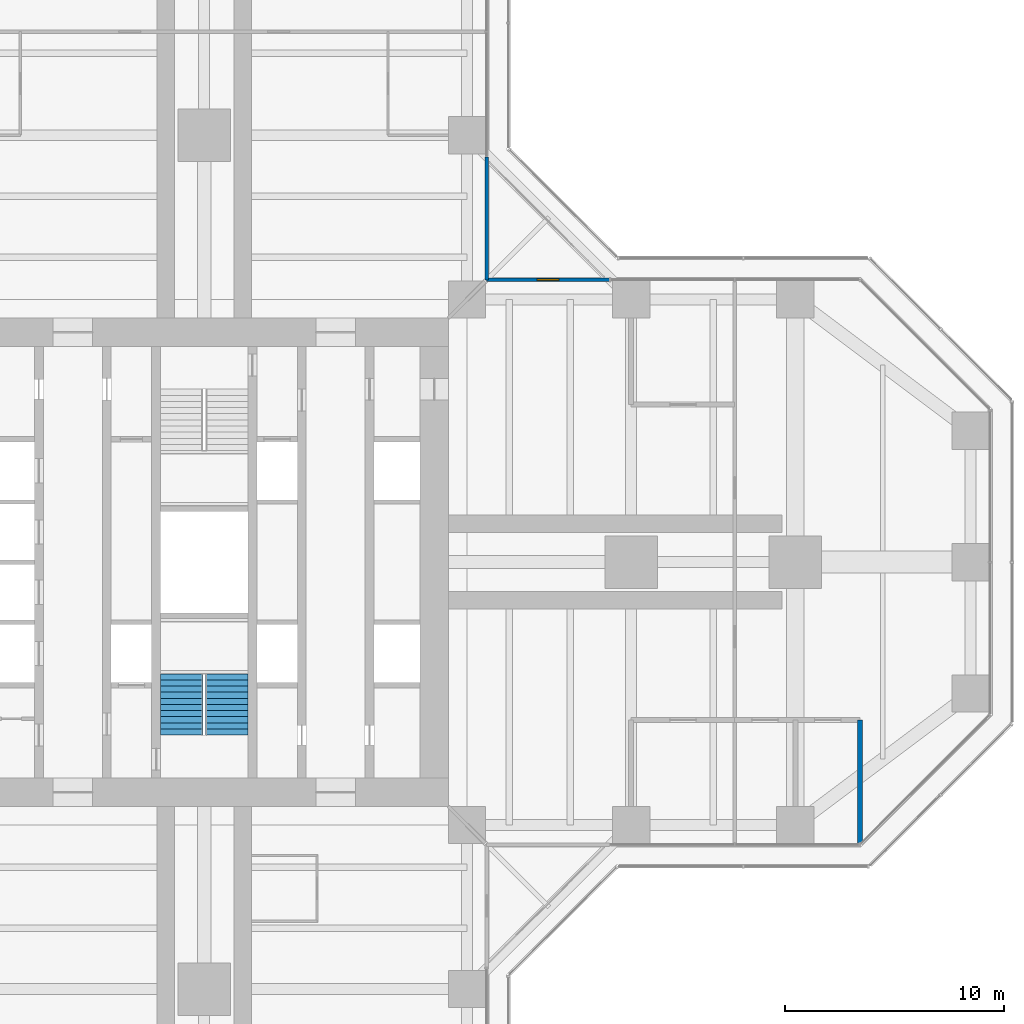
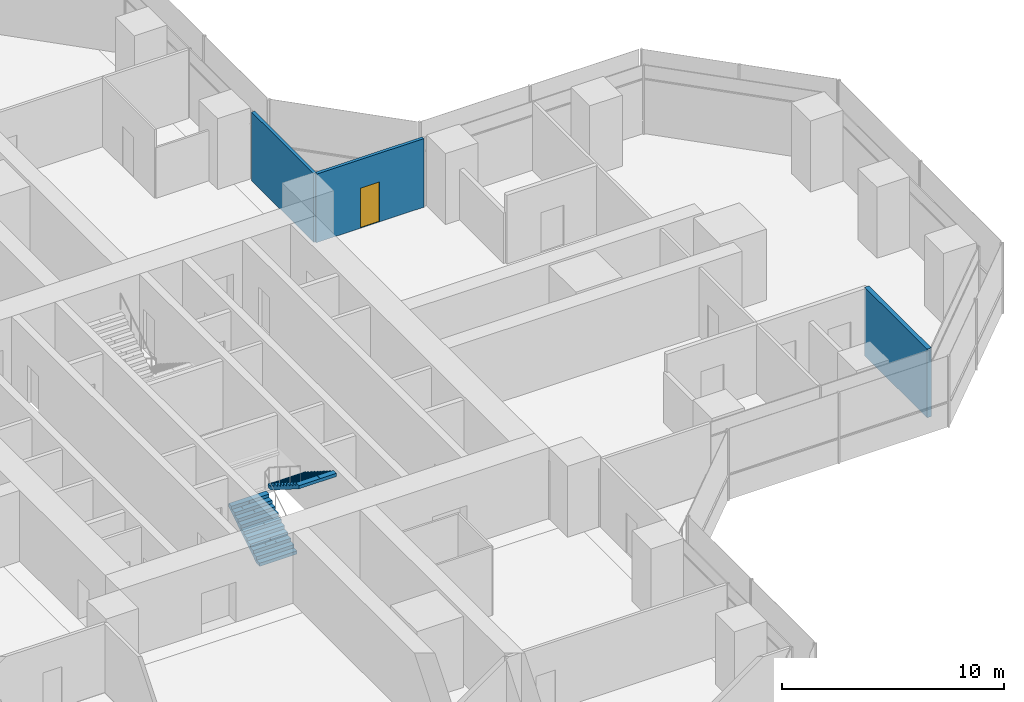
# One storey, part 20 of 22: 3 walls, 2 stair flights, 1 door, 1 opening, 1 element without a shape of its own.
"""IFC4 building model written with IfcOpenShell, lengths in metres."""

from ifc_helpers import new_model, si_unit, direction, frame, frame_2d, origin, place, context, subcontext, project, spatial, polyline, rectangle, outline, extrude, material, layer, layer_set, type_object, element, fill, aggregate, save


model = new_model("IFC4")

# Units and contexts
model_context = context("Model", 3, precision=1e-05, world=origin(), true_north=direction((0.0, 1.0)))
body_context = subcontext(model_context, "Body", "Model", "MODEL_VIEW")
ifc_project = project(units=[si_unit("LENGTHUNIT", "METRE"), si_unit("AREAUNIT", "SQUARE_METRE"), si_unit("VOLUMEUNIT", "CUBIC_METRE"), si_unit("PLANEANGLEUNIT", "RADIAN"), si_unit("MASSUNIT", "GRAM", prefix="KILO")], contexts=[model_context])

# Site, building, storey
site_placement = place(None, origin())
site = spatial("IfcSite", under=ifc_project, at=site_placement, CompositionType="ELEMENT")
building_placement = place(site_placement, origin())
building = spatial("IfcBuilding", under=site, at=building_placement, Name="Mizan Broadcast Tower", CompositionType="ELEMENT")
storey_placement = place(building_placement, frame((0.0, 0.0, 86.39990234375)))
storey = spatial("IfcBuildingStorey", under=building, at=storey_placement, Name="L18", CompositionType="ELEMENT", Elevation=86.39990234375)

# Wall, opening, door
ifc_material_1 = material(Name="Aluminium framed glazed screen", Category="aluminium")
ifc_layer_1 = layer(ifc_material_1, 0.159912109375)
ifc_layer_set_1 = layer_set([ifc_layer_1], Name="Aluminium framed glazed screen")
wall_type_1 = type_object("IfcWallType", Name="GLAZED SCREEN WALL 160", PredefinedType="SOLIDWALL", material=ifc_layer_set_1)
wall_1_placement = place(storey_placement, frame((18.5, 12.89990234375, 0.0), z_axis=(0.0, 0.0, 1.0), x_axis=(-1.0, 0.0, 0.0)))
wall_1 = element("IfcWall", 1, at=wall_1_placement, inside=storey, type_object=wall_type_1, Name="Winter garden screen L18 E", PredefinedType="SOLIDWALL", context=body_context, shape_type="SweptSolid", body=[
    extrude(rectangle(XDim=5.60009765625, YDim=0.159912109375, at=frame_2d((2.800048828125, 0.0))), origin(), (0.0, 0.0, 1.0), 3.77001953125),
])
opening_placement = place(wall_1_placement, frame((2.300048828125, 0.0, 0.0)))
opening = element("IfcOpeningElement", 2, at=opening_placement, cuts=wall_1, Name="Opening WGD", PredefinedType="OPENING", context=body_context, shape_type="SweptSolid", body=[
    extrude(rectangle(XDim=1.0, YDim=2.199951171875, at=frame_2d((0.5, 1.10009765625))), frame((0.0, 0.08984375, 0.0), z_axis=(0.0, -1.0, 0.0), x_axis=(1.0, 0.0, 0.0)), (0.0, 0.0, 1.0), 0.179931640625),
])
ifc_material_2 = material(Name="Aluminium framed glazed door", Category="aluminium")
door_type = type_object("IfcDoorType", Name="WINTER GARDEN DOOR 1000 GLAZED", OperationType="SINGLE_SWING_LEFT", PredefinedType="DOOR", material=ifc_material_2)
door_placement = place(opening_placement, origin())
door = element("IfcDoor", 3, at=door_placement, inside=storey, type_object=door_type, Name="Winter garden door L18 E", OperationType="SINGLE_SWING_RIGHT", OverallHeight=2.199951171875, OverallWidth=1.0, PredefinedType="DOOR", context=body_context, shape_type="SweptSolid", body=[
    extrude(rectangle(XDim=1.0, YDim=2.199951171875, at=frame_2d((0.5, 1.10009765625))), frame((0.0, 0.02490234375, 0.0), z_axis=(0.0, -1.0, 0.0), x_axis=(1.0, 0.0, 0.0)), (0.0, 0.0, 1.0), 0.050048828125),
])
fill(opening, door)

# Walls
wall_2_placement = place(storey_placement, frame((12.89990234375, 12.89990234375, 0.0), z_axis=(0.0, 0.0, 1.0), x_axis=(0.0, 1.0, 0.0)))
element("IfcWall", 4, at=wall_2_placement, inside=storey, type_object=wall_type_1, Name="Winter garden screen L18 N", PredefinedType="SOLIDWALL", context=body_context, shape_type="SweptSolid", body=[
    extrude(rectangle(XDim=5.60009765625, YDim=0.159912109375, at=frame_2d((2.800048828125, 0.0))), origin(), (0.0, 0.0, 1.0), 3.77001953125),
])
ifc_material_3 = material(Name="Twin steel stud acoustic partition, four layers of gypsum board", Category="steel")
ifc_layer_2 = layer(ifc_material_3, 0.22509765625)
ifc_layer_set_2 = layer_set([ifc_layer_2], Name="Twin steel stud acoustic partition, four layers of gypsum board")
wall_type_2 = type_object("IfcWallType", Name="PARTITION ACOUSTIC 225", PredefinedType="PARTITIONING", material=ifc_layer_set_2)
wall_3_placement = place(storey_placement, frame((29.958984375, -7.199951171875, 0.0), z_axis=(0.0, 0.0, 1.0), x_axis=(0.0, -1.0, 0.0)))
element("IfcWall", 5, at=wall_3_placement, inside=storey, type_object=wall_type_2, Name="Acoustic partition PT/EQN2996", PredefinedType="PARTITIONING", context=body_context, shape_type="SweptSolid", body=[
    extrude(rectangle(XDim=5.6201171875, YDim=0.22509765625, at=frame_2d((2.81005859375, 0.0))), origin(), (0.0, 0.0, 1.0), 3.77001953125),
])

# Stair, stair flights
ifc_material_4 = material(Name="Concrete C40/50", Category="concrete")
stair_type = type_object("IfcStairType", Name="EXIT STAIR", PredefinedType="HALF_TURN_STAIR", material=ifc_material_4)
stair_placement = place(storey_placement, origin())
stair = element("IfcStair", 6, at=stair_placement, inside=storey, type_object=stair_type, Name="Stair A L18", PredefinedType="HALF_TURN_STAIR")
ifc_material_5 = material(Name="Concrete C40/50", Category="concrete")
stair_flight_type = type_object("IfcStairFlightType", Name="EXIT STAIR FLIGHT", PredefinedType="STRAIGHT", material=ifc_material_5)
stair_flight_1_placement = place(storey_placement, frame((-1.02490234375, -7.89990234375, 0.0), z_axis=(0.0, 0.0, 1.0), x_axis=(0.0, 1.0, 0.0)))
stair_flight_1 = element("IfcStairFlight", 7, at=stair_flight_1_placement, type_object=stair_flight_type, Name="A flight 1", NumberOfRisers=11, NumberOfTreads=10, PredefinedType="STRAIGHT", RiserHeight=0.177272727, TreadLength=0.28, context=body_context, shape_type="SweptSolid", body=[
    extrude(outline(polyline([(0.0, 0.0), (0.0, 0.17724609375), (0.280029296875, 0.17724609375), (0.280029296875, 0.3544921875), (0.56005859375, 0.3544921875), (0.56005859375, 0.53173828125), (0.840087890625, 0.53173828125), (0.840087890625, 0.708984375), (1.1201171875, 0.708984375), (1.1201171875, 0.886474609375), (1.39990234375, 0.886474609375), (1.39990234375, 1.063720703125), (1.679931640625, 1.063720703125), (1.679931640625, 1.240966796875), (1.9599609375, 1.240966796875), (1.9599609375, 1.418212890625), (2.239990234375, 1.418212890625), (2.239990234375, 1.595458984375), (2.52001953125, 1.595458984375), (2.52001953125, 1.772705078125), (2.800048828125, 1.772705078125), (2.800048828125, 1.949951171875), (2.800048828125, 1.59521484375), (0.2802734375, 0.0), (0.0, 0.0)])), frame((0.0, 0.97509765625, 0.0), z_axis=(0.0, -1.0, 0.0), x_axis=(1.0, 0.0, 0.0)), (0.0, 0.0, 1.0), 0.4873046875),
    extrude(outline(polyline([(0.0, 0.0), (0.0, 0.17724609375), (0.280029296875, 0.17724609375), (0.280029296875, 0.3544921875), (0.56005859375, 0.3544921875), (0.56005859375, 0.53173828125), (0.840087890625, 0.53173828125), (0.840087890625, 0.708984375), (1.1201171875, 0.708984375), (1.1201171875, 0.886474609375), (1.39990234375, 0.886474609375), (1.39990234375, 1.063720703125), (1.679931640625, 1.063720703125), (1.679931640625, 1.240966796875), (1.9599609375, 1.240966796875), (1.9599609375, 1.418212890625), (2.239990234375, 1.418212890625), (2.239990234375, 1.595458984375), (2.52001953125, 1.595458984375), (2.52001953125, 1.772705078125), (2.800048828125, 1.772705078125), (2.800048828125, 1.949951171875), (2.800048828125, 1.59521484375), (0.2802734375, 0.0), (0.0, 0.0)])), frame((0.0, 0.4873046875, 0.0), z_axis=(0.0, -1.0, 0.0), x_axis=(1.0, 0.0, 0.0)), (0.0, 0.0, 1.0), 0.2431640625),
    extrude(outline(polyline([(0.0, 0.0), (0.0, 0.17724609375), (0.280029296875, 0.17724609375), (0.280029296875, 0.3544921875), (0.56005859375, 0.3544921875), (0.56005859375, 0.53173828125), (0.840087890625, 0.53173828125), (0.840087890625, 0.708984375), (1.1201171875, 0.708984375), (1.1201171875, 0.886474609375), (1.39990234375, 0.886474609375), (1.39990234375, 1.063720703125), (1.679931640625, 1.063720703125), (1.679931640625, 1.240966796875), (1.9599609375, 1.240966796875), (1.9599609375, 1.418212890625), (2.239990234375, 1.418212890625), (2.239990234375, 1.595458984375), (2.52001953125, 1.595458984375), (2.52001953125, 1.772705078125), (2.800048828125, 1.772705078125), (2.800048828125, 1.949951171875), (2.800048828125, 1.59521484375), (0.2802734375, 0.0), (0.0, 0.0)])), frame((0.0, 0.24365234375, 0.0), z_axis=(0.0, -1.0, 0.0), x_axis=(1.0, 0.0, 0.0)), (0.0, 0.0, 1.0), 0.121337890625),
    extrude(outline(polyline([(0.0, 0.0), (0.0, 0.17724609375), (0.280029296875, 0.17724609375), (0.280029296875, 0.3544921875), (0.56005859375, 0.3544921875), (0.56005859375, 0.53173828125), (0.840087890625, 0.53173828125), (0.840087890625, 0.708984375), (1.1201171875, 0.708984375), (1.1201171875, 0.886474609375), (1.39990234375, 0.886474609375), (1.39990234375, 1.063720703125), (1.679931640625, 1.063720703125), (1.679931640625, 1.240966796875), (1.9599609375, 1.240966796875), (1.9599609375, 1.418212890625), (2.239990234375, 1.418212890625), (2.239990234375, 1.595458984375), (2.52001953125, 1.595458984375), (2.52001953125, 1.772705078125), (2.800048828125, 1.772705078125), (2.800048828125, 1.949951171875), (2.800048828125, 1.59521484375), (0.2802734375, 0.0), (0.0, 0.0)])), frame((0.0, 0.121826171875, 0.0), z_axis=(0.0, -1.0, 0.0), x_axis=(1.0, 0.0, 0.0)), (0.0, 0.0, 1.0), 0.060546875),
    extrude(outline(polyline([(0.0, 0.0), (0.0, 0.17724609375), (0.280029296875, 0.17724609375), (0.280029296875, 0.3544921875), (0.56005859375, 0.3544921875), (0.56005859375, 0.53173828125), (0.840087890625, 0.53173828125), (0.840087890625, 0.708984375), (1.1201171875, 0.708984375), (1.1201171875, 0.886474609375), (1.39990234375, 0.886474609375), (1.39990234375, 1.063720703125), (1.679931640625, 1.063720703125), (1.679931640625, 1.240966796875), (1.9599609375, 1.240966796875), (1.9599609375, 1.418212890625), (2.239990234375, 1.418212890625), (2.239990234375, 1.595458984375), (2.52001953125, 1.595458984375), (2.52001953125, 1.772705078125), (2.800048828125, 1.772705078125), (2.800048828125, 1.949951171875), (2.800048828125, 1.59521484375), (0.2802734375, 0.0), (0.0, 0.0)])), frame((0.0, 0.060791015625, 0.0), z_axis=(0.0, -1.0, 0.0), x_axis=(1.0, 0.0, 0.0)), (0.0, 0.0, 1.0), 0.030029296875),
    extrude(outline(polyline([(0.0, 0.0), (0.0, 0.17724609375), (0.280029296875, 0.17724609375), (0.280029296875, 0.3544921875), (0.56005859375, 0.3544921875), (0.56005859375, 0.53173828125), (0.840087890625, 0.53173828125), (0.840087890625, 0.708984375), (1.1201171875, 0.708984375), (1.1201171875, 0.886474609375), (1.39990234375, 0.886474609375), (1.39990234375, 1.063720703125), (1.679931640625, 1.063720703125), (1.679931640625, 1.240966796875), (1.9599609375, 1.240966796875), (1.9599609375, 1.418212890625), (2.239990234375, 1.418212890625), (2.239990234375, 1.595458984375), (2.52001953125, 1.595458984375), (2.52001953125, 1.772705078125), (2.800048828125, 1.772705078125), (2.800048828125, 1.949951171875), (2.800048828125, 1.59521484375), (0.2802734375, 0.0), (0.0, 0.0)])), frame((0.0, 0.0302734375, 0.0), z_axis=(0.0, -1.0, 0.0), x_axis=(1.0, 0.0, 0.0)), (0.0, 0.0, 1.0), 0.060302734375),
    extrude(outline(polyline([(0.0, 0.0), (0.0, 0.17724609375), (0.280029296875, 0.17724609375), (0.280029296875, 0.3544921875), (0.56005859375, 0.3544921875), (0.56005859375, 0.53173828125), (0.840087890625, 0.53173828125), (0.840087890625, 0.708984375), (1.1201171875, 0.708984375), (1.1201171875, 0.886474609375), (1.39990234375, 0.886474609375), (1.39990234375, 1.063720703125), (1.679931640625, 1.063720703125), (1.679931640625, 1.240966796875), (1.9599609375, 1.240966796875), (1.9599609375, 1.418212890625), (2.239990234375, 1.418212890625), (2.239990234375, 1.595458984375), (2.52001953125, 1.595458984375), (2.52001953125, 1.772705078125), (2.800048828125, 1.772705078125), (2.800048828125, 1.949951171875), (2.800048828125, 1.59521484375), (0.2802734375, 0.0), (0.0, 0.0)])), frame((0.0, -0.030517578125, 0.0), z_axis=(0.0, -1.0, 0.0), x_axis=(1.0, 0.0, 0.0)), (0.0, 0.0, 1.0), 0.030029296875),
    extrude(outline(polyline([(0.0, 0.0), (0.0, 0.17724609375), (0.280029296875, 0.17724609375), (0.280029296875, 0.3544921875), (0.56005859375, 0.3544921875), (0.56005859375, 0.53173828125), (0.840087890625, 0.53173828125), (0.840087890625, 0.708984375), (1.1201171875, 0.708984375), (1.1201171875, 0.886474609375), (1.39990234375, 0.886474609375), (1.39990234375, 1.063720703125), (1.679931640625, 1.063720703125), (1.679931640625, 1.240966796875), (1.9599609375, 1.240966796875), (1.9599609375, 1.418212890625), (2.239990234375, 1.418212890625), (2.239990234375, 1.595458984375), (2.52001953125, 1.595458984375), (2.52001953125, 1.772705078125), (2.800048828125, 1.772705078125), (2.800048828125, 1.949951171875), (2.800048828125, 1.59521484375), (0.2802734375, 0.0), (0.0, 0.0)])), frame((0.0, -0.06103515625, 0.0), z_axis=(0.0, -1.0, 0.0), x_axis=(1.0, 0.0, 0.0)), (0.0, 0.0, 1.0), 0.060546875),
    extrude(outline(polyline([(0.0, 0.0), (0.0, 0.17724609375), (0.280029296875, 0.17724609375), (0.280029296875, 0.3544921875), (0.56005859375, 0.3544921875), (0.56005859375, 0.53173828125), (0.840087890625, 0.53173828125), (0.840087890625, 0.708984375), (1.1201171875, 0.708984375), (1.1201171875, 0.886474609375), (1.39990234375, 0.886474609375), (1.39990234375, 1.063720703125), (1.679931640625, 1.063720703125), (1.679931640625, 1.240966796875), (1.9599609375, 1.240966796875), (1.9599609375, 1.418212890625), (2.239990234375, 1.418212890625), (2.239990234375, 1.595458984375), (2.52001953125, 1.595458984375), (2.52001953125, 1.772705078125), (2.800048828125, 1.772705078125), (2.800048828125, 1.949951171875), (2.800048828125, 1.59521484375), (0.2802734375, 0.0), (0.0, 0.0)])), frame((0.0, -0.1220703125, 0.0), z_axis=(0.0, -1.0, 0.0), x_axis=(1.0, 0.0, 0.0)), (0.0, 0.0, 1.0), 0.121337890625),
    extrude(outline(polyline([(0.0, 0.0), (0.0, 0.17724609375), (0.280029296875, 0.17724609375), (0.280029296875, 0.3544921875), (0.56005859375, 0.3544921875), (0.56005859375, 0.53173828125), (0.840087890625, 0.53173828125), (0.840087890625, 0.708984375), (1.1201171875, 0.708984375), (1.1201171875, 0.886474609375), (1.39990234375, 0.886474609375), (1.39990234375, 1.063720703125), (1.679931640625, 1.063720703125), (1.679931640625, 1.240966796875), (1.9599609375, 1.240966796875), (1.9599609375, 1.418212890625), (2.239990234375, 1.418212890625), (2.239990234375, 1.595458984375), (2.52001953125, 1.595458984375), (2.52001953125, 1.772705078125), (2.800048828125, 1.772705078125), (2.800048828125, 1.949951171875), (2.800048828125, 1.59521484375), (0.2802734375, 0.0), (0.0, 0.0)])), frame((0.0, -0.243896484375, 0.0), z_axis=(0.0, -1.0, 0.0), x_axis=(1.0, 0.0, 0.0)), (0.0, 0.0, 1.0), 0.2431640625),
    extrude(outline(polyline([(0.0, 0.0), (0.0, 0.17724609375), (0.280029296875, 0.17724609375), (0.280029296875, 0.3544921875), (0.56005859375, 0.3544921875), (0.56005859375, 0.53173828125), (0.840087890625, 0.53173828125), (0.840087890625, 0.708984375), (1.1201171875, 0.708984375), (1.1201171875, 0.886474609375), (1.39990234375, 0.886474609375), (1.39990234375, 1.063720703125), (1.679931640625, 1.063720703125), (1.679931640625, 1.240966796875), (1.9599609375, 1.240966796875), (1.9599609375, 1.418212890625), (2.239990234375, 1.418212890625), (2.239990234375, 1.595458984375), (2.52001953125, 1.595458984375), (2.52001953125, 1.772705078125), (2.800048828125, 1.772705078125), (2.800048828125, 1.949951171875), (2.800048828125, 1.59521484375), (0.2802734375, 0.0), (0.0, 0.0)])), frame((0.0, -0.487548828125, 0.0), z_axis=(0.0, -1.0, 0.0), x_axis=(1.0, 0.0, 0.0)), (0.0, 0.0, 1.0), 0.4873046875),
])
stair_flight_2_placement = place(storey_placement, frame((1.02490234375, -5.10009765625, 1.9501953125), z_axis=(0.0, 0.0, 1.0), x_axis=(0.0, -1.0, 0.0)))
stair_flight_2 = element("IfcStairFlight", 8, at=stair_flight_2_placement, type_object=stair_flight_type, Name="A flight 2", NumberOfRisers=11, NumberOfTreads=10, PredefinedType="STRAIGHT", RiserHeight=0.177272727, TreadLength=0.28, context=body_context, shape_type="SweptSolid", body=[
    extrude(outline(polyline([(0.0, 0.0), (0.0, 0.17724609375), (0.280029296875, 0.17724609375), (0.280029296875, 0.3544921875), (0.56005859375, 0.3544921875), (0.56005859375, 0.53173828125), (0.840087890625, 0.53173828125), (0.840087890625, 0.708984375), (1.1201171875, 0.708984375), (1.1201171875, 0.886474609375), (1.39990234375, 0.886474609375), (1.39990234375, 1.063720703125), (1.679931640625, 1.063720703125), (1.679931640625, 1.240966796875), (1.9599609375, 1.240966796875), (1.9599609375, 1.418212890625), (2.239990234375, 1.418212890625), (2.239990234375, 1.595458984375), (2.52001953125, 1.595458984375), (2.52001953125, 1.772705078125), (2.800048828125, 1.772705078125), (2.800048828125, 1.949951171875), (2.800048828125, 1.59521484375), (0.2802734375, 0.0), (0.0, 0.0)])), frame((0.0, 0.97509765625, 0.0), z_axis=(0.0, -1.0, 0.0), x_axis=(1.0, 0.0, 0.0)), (0.0, 0.0, 1.0), 0.4873046875),
    extrude(outline(polyline([(0.0, 0.0), (0.0, 0.17724609375), (0.280029296875, 0.17724609375), (0.280029296875, 0.3544921875), (0.56005859375, 0.3544921875), (0.56005859375, 0.53173828125), (0.840087890625, 0.53173828125), (0.840087890625, 0.708984375), (1.1201171875, 0.708984375), (1.1201171875, 0.886474609375), (1.39990234375, 0.886474609375), (1.39990234375, 1.063720703125), (1.679931640625, 1.063720703125), (1.679931640625, 1.240966796875), (1.9599609375, 1.240966796875), (1.9599609375, 1.418212890625), (2.239990234375, 1.418212890625), (2.239990234375, 1.595458984375), (2.52001953125, 1.595458984375), (2.52001953125, 1.772705078125), (2.800048828125, 1.772705078125), (2.800048828125, 1.949951171875), (2.800048828125, 1.59521484375), (0.2802734375, 0.0), (0.0, 0.0)])), frame((0.0, 0.4873046875, 0.0), z_axis=(0.0, -1.0, 0.0), x_axis=(1.0, 0.0, 0.0)), (0.0, 0.0, 1.0), 0.2431640625),
    extrude(outline(polyline([(0.0, 0.0), (0.0, 0.17724609375), (0.280029296875, 0.17724609375), (0.280029296875, 0.3544921875), (0.56005859375, 0.3544921875), (0.56005859375, 0.53173828125), (0.840087890625, 0.53173828125), (0.840087890625, 0.708984375), (1.1201171875, 0.708984375), (1.1201171875, 0.886474609375), (1.39990234375, 0.886474609375), (1.39990234375, 1.063720703125), (1.679931640625, 1.063720703125), (1.679931640625, 1.240966796875), (1.9599609375, 1.240966796875), (1.9599609375, 1.418212890625), (2.239990234375, 1.418212890625), (2.239990234375, 1.595458984375), (2.52001953125, 1.595458984375), (2.52001953125, 1.772705078125), (2.800048828125, 1.772705078125), (2.800048828125, 1.949951171875), (2.800048828125, 1.59521484375), (0.2802734375, 0.0), (0.0, 0.0)])), frame((0.0, 0.24365234375, 0.0), z_axis=(0.0, -1.0, 0.0), x_axis=(1.0, 0.0, 0.0)), (0.0, 0.0, 1.0), 0.121337890625),
    extrude(outline(polyline([(0.0, 0.0), (0.0, 0.17724609375), (0.280029296875, 0.17724609375), (0.280029296875, 0.3544921875), (0.56005859375, 0.3544921875), (0.56005859375, 0.53173828125), (0.840087890625, 0.53173828125), (0.840087890625, 0.708984375), (1.1201171875, 0.708984375), (1.1201171875, 0.886474609375), (1.39990234375, 0.886474609375), (1.39990234375, 1.063720703125), (1.679931640625, 1.063720703125), (1.679931640625, 1.240966796875), (1.9599609375, 1.240966796875), (1.9599609375, 1.418212890625), (2.239990234375, 1.418212890625), (2.239990234375, 1.595458984375), (2.52001953125, 1.595458984375), (2.52001953125, 1.772705078125), (2.800048828125, 1.772705078125), (2.800048828125, 1.949951171875), (2.800048828125, 1.59521484375), (0.2802734375, 0.0), (0.0, 0.0)])), frame((0.0, 0.121826171875, 0.0), z_axis=(0.0, -1.0, 0.0), x_axis=(1.0, 0.0, 0.0)), (0.0, 0.0, 1.0), 0.060546875),
    extrude(outline(polyline([(0.0, 0.0), (0.0, 0.17724609375), (0.280029296875, 0.17724609375), (0.280029296875, 0.3544921875), (0.56005859375, 0.3544921875), (0.56005859375, 0.53173828125), (0.840087890625, 0.53173828125), (0.840087890625, 0.708984375), (1.1201171875, 0.708984375), (1.1201171875, 0.886474609375), (1.39990234375, 0.886474609375), (1.39990234375, 1.063720703125), (1.679931640625, 1.063720703125), (1.679931640625, 1.240966796875), (1.9599609375, 1.240966796875), (1.9599609375, 1.418212890625), (2.239990234375, 1.418212890625), (2.239990234375, 1.595458984375), (2.52001953125, 1.595458984375), (2.52001953125, 1.772705078125), (2.800048828125, 1.772705078125), (2.800048828125, 1.949951171875), (2.800048828125, 1.59521484375), (0.2802734375, 0.0), (0.0, 0.0)])), frame((0.0, 0.060791015625, 0.0), z_axis=(0.0, -1.0, 0.0), x_axis=(1.0, 0.0, 0.0)), (0.0, 0.0, 1.0), 0.030029296875),
    extrude(outline(polyline([(0.0, 0.0), (0.0, 0.17724609375), (0.280029296875, 0.17724609375), (0.280029296875, 0.3544921875), (0.56005859375, 0.3544921875), (0.56005859375, 0.53173828125), (0.840087890625, 0.53173828125), (0.840087890625, 0.708984375), (1.1201171875, 0.708984375), (1.1201171875, 0.886474609375), (1.39990234375, 0.886474609375), (1.39990234375, 1.063720703125), (1.679931640625, 1.063720703125), (1.679931640625, 1.240966796875), (1.9599609375, 1.240966796875), (1.9599609375, 1.418212890625), (2.239990234375, 1.418212890625), (2.239990234375, 1.595458984375), (2.52001953125, 1.595458984375), (2.52001953125, 1.772705078125), (2.800048828125, 1.772705078125), (2.800048828125, 1.949951171875), (2.800048828125, 1.59521484375), (0.2802734375, 0.0), (0.0, 0.0)])), frame((0.0, 0.0302734375, 0.0), z_axis=(0.0, -1.0, 0.0), x_axis=(1.0, 0.0, 0.0)), (0.0, 0.0, 1.0), 0.060302734375),
    extrude(outline(polyline([(0.0, 0.0), (0.0, 0.17724609375), (0.280029296875, 0.17724609375), (0.280029296875, 0.3544921875), (0.56005859375, 0.3544921875), (0.56005859375, 0.53173828125), (0.840087890625, 0.53173828125), (0.840087890625, 0.708984375), (1.1201171875, 0.708984375), (1.1201171875, 0.886474609375), (1.39990234375, 0.886474609375), (1.39990234375, 1.063720703125), (1.679931640625, 1.063720703125), (1.679931640625, 1.240966796875), (1.9599609375, 1.240966796875), (1.9599609375, 1.418212890625), (2.239990234375, 1.418212890625), (2.239990234375, 1.595458984375), (2.52001953125, 1.595458984375), (2.52001953125, 1.772705078125), (2.800048828125, 1.772705078125), (2.800048828125, 1.949951171875), (2.800048828125, 1.59521484375), (0.2802734375, 0.0), (0.0, 0.0)])), frame((0.0, -0.030517578125, 0.0), z_axis=(0.0, -1.0, 0.0), x_axis=(1.0, 0.0, 0.0)), (0.0, 0.0, 1.0), 0.030029296875),
    extrude(outline(polyline([(0.0, 0.0), (0.0, 0.17724609375), (0.280029296875, 0.17724609375), (0.280029296875, 0.3544921875), (0.56005859375, 0.3544921875), (0.56005859375, 0.53173828125), (0.840087890625, 0.53173828125), (0.840087890625, 0.708984375), (1.1201171875, 0.708984375), (1.1201171875, 0.886474609375), (1.39990234375, 0.886474609375), (1.39990234375, 1.063720703125), (1.679931640625, 1.063720703125), (1.679931640625, 1.240966796875), (1.9599609375, 1.240966796875), (1.9599609375, 1.418212890625), (2.239990234375, 1.418212890625), (2.239990234375, 1.595458984375), (2.52001953125, 1.595458984375), (2.52001953125, 1.772705078125), (2.800048828125, 1.772705078125), (2.800048828125, 1.949951171875), (2.800048828125, 1.59521484375), (0.2802734375, 0.0), (0.0, 0.0)])), frame((0.0, -0.06103515625, 0.0), z_axis=(0.0, -1.0, 0.0), x_axis=(1.0, 0.0, 0.0)), (0.0, 0.0, 1.0), 0.060546875),
    extrude(outline(polyline([(0.0, 0.0), (0.0, 0.17724609375), (0.280029296875, 0.17724609375), (0.280029296875, 0.3544921875), (0.56005859375, 0.3544921875), (0.56005859375, 0.53173828125), (0.840087890625, 0.53173828125), (0.840087890625, 0.708984375), (1.1201171875, 0.708984375), (1.1201171875, 0.886474609375), (1.39990234375, 0.886474609375), (1.39990234375, 1.063720703125), (1.679931640625, 1.063720703125), (1.679931640625, 1.240966796875), (1.9599609375, 1.240966796875), (1.9599609375, 1.418212890625), (2.239990234375, 1.418212890625), (2.239990234375, 1.595458984375), (2.52001953125, 1.595458984375), (2.52001953125, 1.772705078125), (2.800048828125, 1.772705078125), (2.800048828125, 1.949951171875), (2.800048828125, 1.59521484375), (0.2802734375, 0.0), (0.0, 0.0)])), frame((0.0, -0.1220703125, 0.0), z_axis=(0.0, -1.0, 0.0), x_axis=(1.0, 0.0, 0.0)), (0.0, 0.0, 1.0), 0.121337890625),
    extrude(outline(polyline([(0.0, 0.0), (0.0, 0.17724609375), (0.280029296875, 0.17724609375), (0.280029296875, 0.3544921875), (0.56005859375, 0.3544921875), (0.56005859375, 0.53173828125), (0.840087890625, 0.53173828125), (0.840087890625, 0.708984375), (1.1201171875, 0.708984375), (1.1201171875, 0.886474609375), (1.39990234375, 0.886474609375), (1.39990234375, 1.063720703125), (1.679931640625, 1.063720703125), (1.679931640625, 1.240966796875), (1.9599609375, 1.240966796875), (1.9599609375, 1.418212890625), (2.239990234375, 1.418212890625), (2.239990234375, 1.595458984375), (2.52001953125, 1.595458984375), (2.52001953125, 1.772705078125), (2.800048828125, 1.772705078125), (2.800048828125, 1.949951171875), (2.800048828125, 1.59521484375), (0.2802734375, 0.0), (0.0, 0.0)])), frame((0.0, -0.243896484375, 0.0), z_axis=(0.0, -1.0, 0.0), x_axis=(1.0, 0.0, 0.0)), (0.0, 0.0, 1.0), 0.2431640625),
    extrude(outline(polyline([(0.0, 0.0), (0.0, 0.17724609375), (0.280029296875, 0.17724609375), (0.280029296875, 0.3544921875), (0.56005859375, 0.3544921875), (0.56005859375, 0.53173828125), (0.840087890625, 0.53173828125), (0.840087890625, 0.708984375), (1.1201171875, 0.708984375), (1.1201171875, 0.886474609375), (1.39990234375, 0.886474609375), (1.39990234375, 1.063720703125), (1.679931640625, 1.063720703125), (1.679931640625, 1.240966796875), (1.9599609375, 1.240966796875), (1.9599609375, 1.418212890625), (2.239990234375, 1.418212890625), (2.239990234375, 1.595458984375), (2.52001953125, 1.595458984375), (2.52001953125, 1.772705078125), (2.800048828125, 1.772705078125), (2.800048828125, 1.949951171875), (2.800048828125, 1.59521484375), (0.2802734375, 0.0), (0.0, 0.0)])), frame((0.0, -0.487548828125, 0.0), z_axis=(0.0, -1.0, 0.0), x_axis=(1.0, 0.0, 0.0)), (0.0, 0.0, 1.0), 0.4873046875),
])
aggregate(stair, [stair_flight_1, stair_flight_2])

save(model, "model.ifc")
